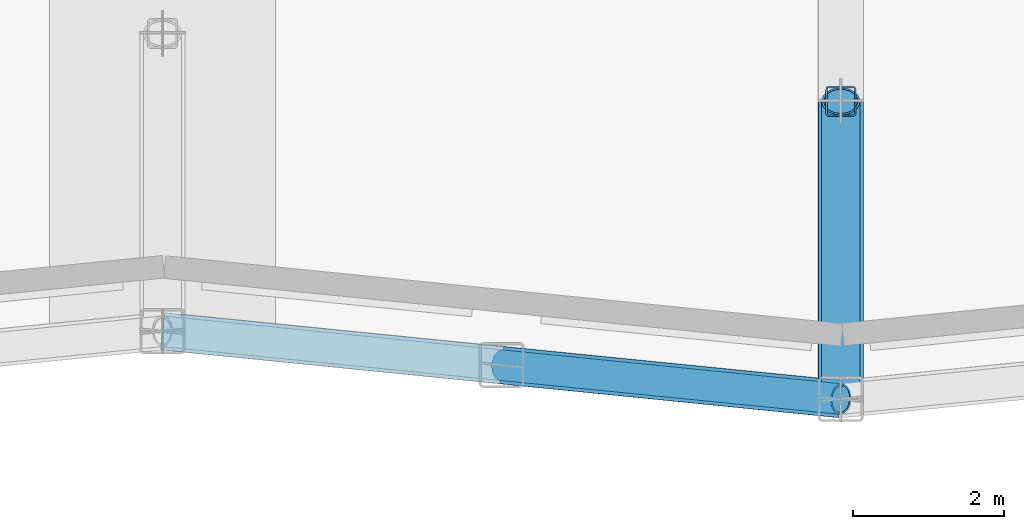
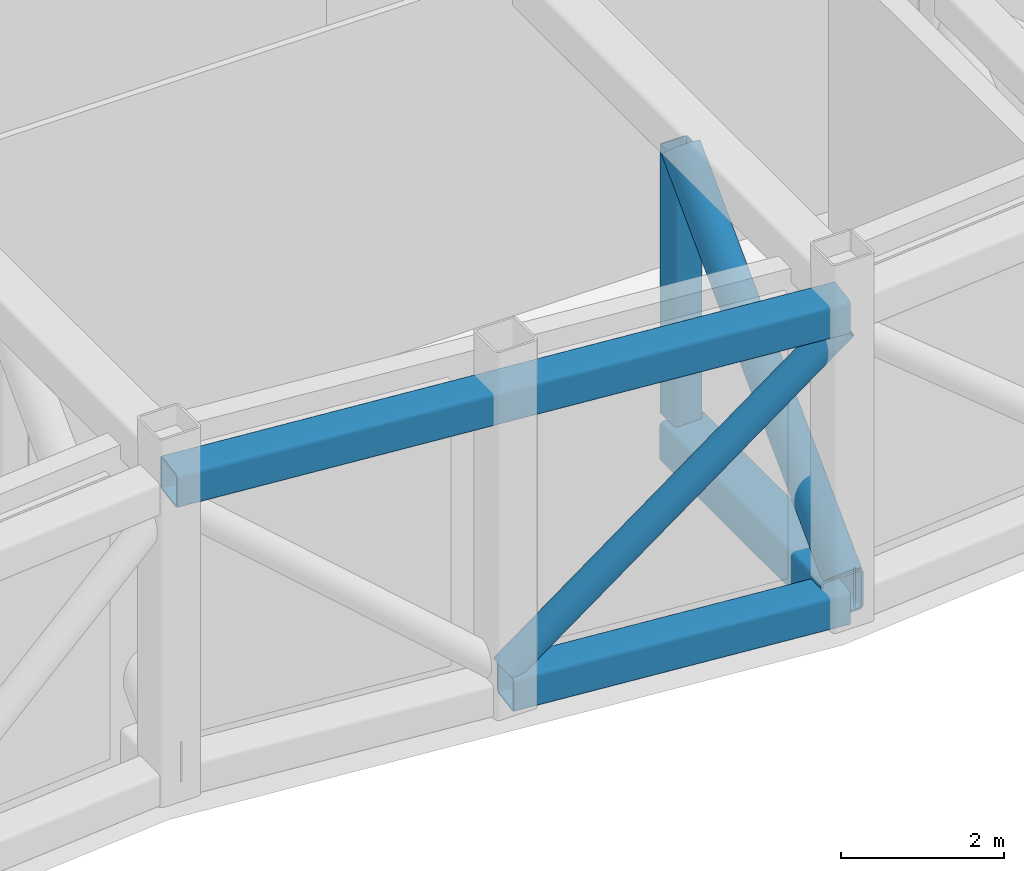
# One storey, part 5 of 22: 6 members.
"""IFC4 building model written with IfcOpenShell, lengths in metres."""

from ifc_helpers import new_model, si_unit, direction, frame, origin, origin_2d, place, context, subcontext, project, spatial, hollow_rectangle, hollow_circle, extrude, material, material_profile, profile_set, type_object, element, save


model = new_model("IFC4")

# Units and contexts
model_context = context("Model", 3, precision=1e-05, world=origin(), true_north=direction((0.0, 1.0)))
body_context = subcontext(model_context, "Body", "Model", "MODEL_VIEW")
ifc_project = project(units=[si_unit("LENGTHUNIT", "METRE"), si_unit("AREAUNIT", "SQUARE_METRE"), si_unit("VOLUMEUNIT", "CUBIC_METRE"), si_unit("PLANEANGLEUNIT", "RADIAN"), si_unit("MASSUNIT", "GRAM", prefix="KILO")], contexts=[model_context])

# Site, building, storey
site_placement = place(None, origin())
site = spatial("IfcSite", under=ifc_project, at=site_placement, CompositionType="ELEMENT")
building_placement = place(site_placement, origin())
building = spatial("IfcBuilding", under=site, at=building_placement, Name="Brondeck Convention Tower", CompositionType="ELEMENT")
storey_placement = place(building_placement, frame((0.0, 0.0, 32.0)))
storey = spatial("IfcBuildingStorey", under=building, at=storey_placement, Name="L05", CompositionType="ELEMENT", Elevation=32.0)

# Members
ifc_material = material(Name="Steel S460", Category="steel")
ifc_material_profile_1 = material_profile(ifc_material, hollow_rectangle(XDim=0.5, YDim=0.5, WallThickness=0.02490234375, InnerFilletRadius=0.02490234375, OuterFilletRadius=0.050048828125, at=origin_2d()), Name="RHS 500x500x25")
ifc_profile_set_1 = profile_set([ifc_material_profile_1], Name="Steel S460")
member_type_1 = type_object("IfcMemberType", Name="Truss chord RHS 500x500x25", PredefinedType="CHORD", material=ifc_profile_set_1)
member_1_placement = place(storey_placement, frame((54.0, 27.0, 4.60009765625), z_axis=(0.995038259148, -0.099493029059, 0.0), x_axis=(0.099493029059, 0.995038259148, 0.0)))
element("IfcMember", 1, at=member_1_placement, inside=storey, type_object=member_type_1, Name="Transfer truss T1-P1 chord", PredefinedType="CHORD", context=body_context, shape_type="SweptSolid", body=[
    extrude(hollow_rectangle(XDim=0.5, YDim=0.5, WallThickness=0.02490234375, InnerFilletRadius=0.02490234375, OuterFilletRadius=0.050048828125, at=origin_2d()), origin(), (0.0, 0.0, 1.0), 9.044921875),
])
member_2_placement = place(storey_placement, frame((58.5, 26.550048828125, 0.25), z_axis=(0.995038259148, -0.099493029059, 0.0), x_axis=(0.099493029059, 0.995038259148, 0.0)))
element("IfcMember", 2, at=member_2_placement, inside=storey, type_object=member_type_1, Name="Transfer truss T1-P1 chord", PredefinedType="CHORD", context=body_context, shape_type="SweptSolid", body=[
    extrude(hollow_rectangle(XDim=0.5, YDim=0.5, WallThickness=0.02490234375, InnerFilletRadius=0.02490234375, OuterFilletRadius=0.050048828125, at=origin_2d()), origin(), (0.0, 0.0, 1.0), 4.5224609375),
])
ifc_material_profile_2 = material_profile(ifc_material, hollow_rectangle(XDim=0.60009765625, YDim=0.60009765625, WallThickness=0.030029296875, InnerFilletRadius=0.030029296875, OuterFilletRadius=0.06005859375, at=origin_2d()), Name="RHS 600x600x30")
ifc_profile_set_2 = profile_set([ifc_material_profile_2], Name="Steel S460")
member_type_2 = type_object("IfcMemberType", Name="Truss chord RHS 600x600x30", PredefinedType="CHORD", material=ifc_profile_set_2)
member_3_placement = place(storey_placement, frame((63.0, 26.10009765625, 0.300048828125), z_axis=(0.0, 1.0, 0.0), x_axis=(-1.0, 0.0, 0.0)))
element("IfcMember", 3, at=member_3_placement, inside=storey, type_object=member_type_2, Name="Transfer truss T1-A4 chord", PredefinedType="CHORD", context=body_context, shape_type="SweptSolid", body=[
    extrude(hollow_rectangle(XDim=0.60009765625, YDim=0.60009765625, WallThickness=0.030029296875, InnerFilletRadius=0.030029296875, OuterFilletRadius=0.06005859375, at=origin_2d()), origin(), (0.0, 0.0, 1.0), 3.949951171875),
])
ifc_material_profile_3 = material_profile(ifc_material, hollow_circle(Radius=0.203125, WallThickness=0.02490234375, at=origin_2d()), Name="CHS 406.4x25")
ifc_profile_set_3 = profile_set([ifc_material_profile_3], Name="Steel S460")
member_type_3 = type_object("IfcMemberType", Name="Truss diagonal CHS 406.4x25", PredefinedType="BRACE", material=ifc_profile_set_3)
member_4_placement = place(storey_placement, frame((58.5, 26.550048828125, 0.5), z_axis=(0.757660496322, -0.07575782849, 0.648237089139), x_axis=(0.099493029059, 0.995038259148, 0.0)))
element("IfcMember", 4, at=member_4_placement, inside=storey, type_object=member_type_3, Name="Transfer truss T1-P1 diagonal", PredefinedType="BRACE", context=body_context, shape_type="SweptSolid", body=[
    extrude(hollow_circle(Radius=0.203125, WallThickness=0.02490234375, at=origin_2d()), origin(), (0.0, 0.0, 1.0), 5.939453125),
])
ifc_material_profile_4 = material_profile(ifc_material, hollow_circle(Radius=0.25390625, WallThickness=0.030029296875, at=origin_2d()), Name="CHS 508x30")
ifc_profile_set_4 = profile_set([ifc_material_profile_4], Name="Steel S460")
member_type_4 = type_object("IfcMemberType", Name="Truss diagonal CHS 508x30", PredefinedType="BRACE", material=ifc_profile_set_4)
member_5_placement = place(storey_placement, frame((63.0, 26.10009765625, 0.60009765625), z_axis=(0.0, 0.702641274589, 0.711544263728), x_axis=(-1.0, 0.0, 0.0)))
element("IfcMember", 5, at=member_5_placement, inside=storey, type_object=member_type_4, Name="Transfer truss T1-A4 diagonal", PredefinedType="BRACE", context=body_context, shape_type="SweptSolid", body=[
    extrude(hollow_circle(Radius=0.25390625, WallThickness=0.030029296875, at=origin_2d()), origin(), (0.0, 0.0, 1.0), 5.62158203125),
])
ifc_material_profile_5 = material_profile(ifc_material, hollow_rectangle(XDim=0.39990234375, YDim=0.39990234375, WallThickness=0.02001953125, InnerFilletRadius=0.02001953125, OuterFilletRadius=0.0400390625, at=origin_2d()), Name="RHS 400x400x20")
ifc_profile_set_5 = profile_set([ifc_material_profile_5], Name="Steel S460")
member_type_5 = type_object("IfcMemberType", Name="Truss vertical RHS 400x400x20", PredefinedType="STRUT", material=ifc_profile_set_5)
member_6_placement = place(storey_placement, frame((63.0, 30.050048828125, 0.60009765625), z_axis=(0.0, 0.0, 1.0), x_axis=(1.0, 0.0, 0.0)))
element("IfcMember", 6, at=member_6_placement, inside=storey, type_object=member_type_5, Name="Transfer truss T1-A4 vertical", PredefinedType="STRUT", context=body_context, shape_type="SweptSolid", body=[
    extrude(hollow_rectangle(XDim=0.39990234375, YDim=0.39990234375, WallThickness=0.02001953125, InnerFilletRadius=0.02001953125, OuterFilletRadius=0.0400390625, at=origin_2d()), origin(), (0.0, 0.0, 1.0), 4.0),
])

save(model, "model.ifc")
